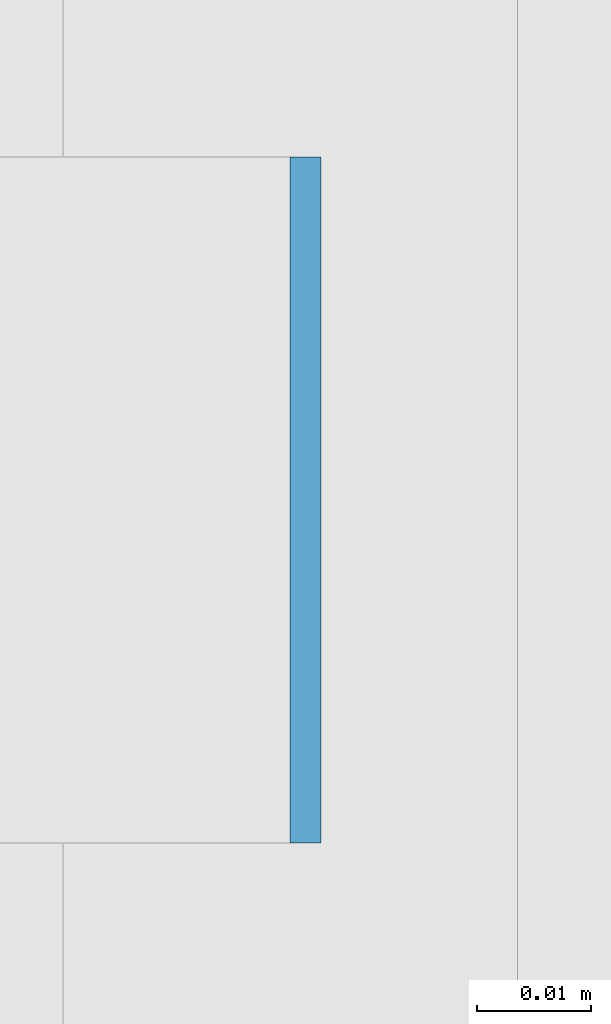
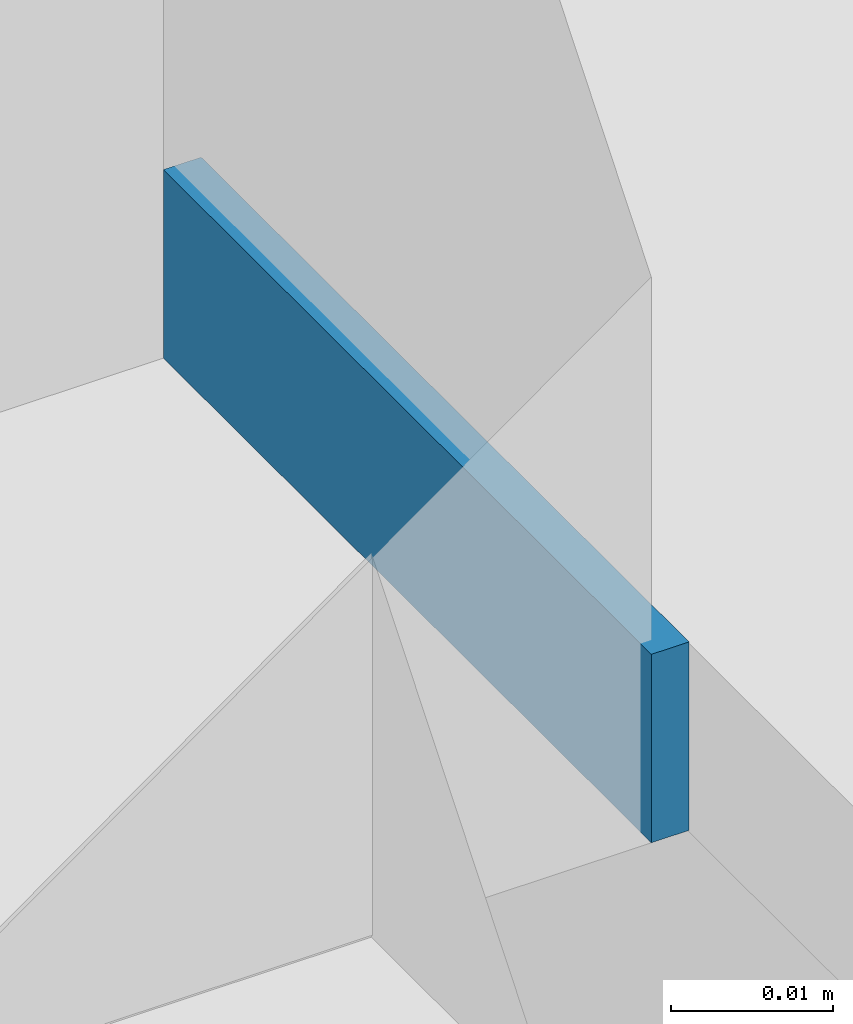
# One storey, part 294 of 646: 1 discrete accessory.
"""IFC4 building model written with IfcOpenShell, lengths in metres."""

from ifc_helpers import new_model, si_unit, direction, frame, origin, origin_2d, place, context, subcontext, project, spatial, rectangle, extrude, material, type_object, element, save


model = new_model("IFC4")

# Units and contexts
model_context = context("Model", 3, precision=1e-05, world=origin(), true_north=direction((0.0, 1.0)))
body_context = subcontext(model_context, "Body", "Model", "MODEL_VIEW")
ifc_project = project(units=[si_unit("LENGTHUNIT", "METRE"), si_unit("AREAUNIT", "SQUARE_METRE"), si_unit("VOLUMEUNIT", "CUBIC_METRE"), si_unit("PLANEANGLEUNIT", "RADIAN"), si_unit("MASSUNIT", "GRAM", prefix="KILO")], contexts=[model_context])

# Site, building, storey
site_placement = place(None, origin())
site = spatial("IfcSite", under=ifc_project, at=site_placement, CompositionType="ELEMENT")
building_placement = place(site_placement, origin())
building = spatial("IfcBuilding", under=site, at=building_placement, Name="Silverbay Arena", CompositionType="ELEMENT")
storey_placement = place(building_placement, frame((0.0, 0.0, 33.5)))
storey = spatial("IfcBuildingStorey", under=building, at=storey_placement, Name="L05", CompositionType="ELEMENT", Elevation=33.5)

# Discrete accessory
ifc_material = material(Name="Steel S355", Category="steel")
discrete_accessory_type = type_object("IfcDiscreteAccessoryType", Name="Steel bracket plate", PredefinedType="BRACKET", material=ifc_material)
discrete_accessory_placement = place(storey_placement, frame((53.871337890625, 59.142822265625, 4.0), z_axis=(0.0, 0.0, 1.0), x_axis=(1.0, 0.0, 0.0)))
element("IfcDiscreteAccessory", 1, at=discrete_accessory_placement, inside=storey, type_object=discrete_accessory_type, Name="Curtain wall packing plate", PredefinedType="BRACKET", context=body_context, shape_type="SweptSolid", body=[
    extrude(rectangle(XDim=0.002685546875, YDim=0.06005859375, at=origin_2d()), origin(), (0.0, 0.0, 1.0), 0.01416015625),
])

save(model, "model.ifc")
